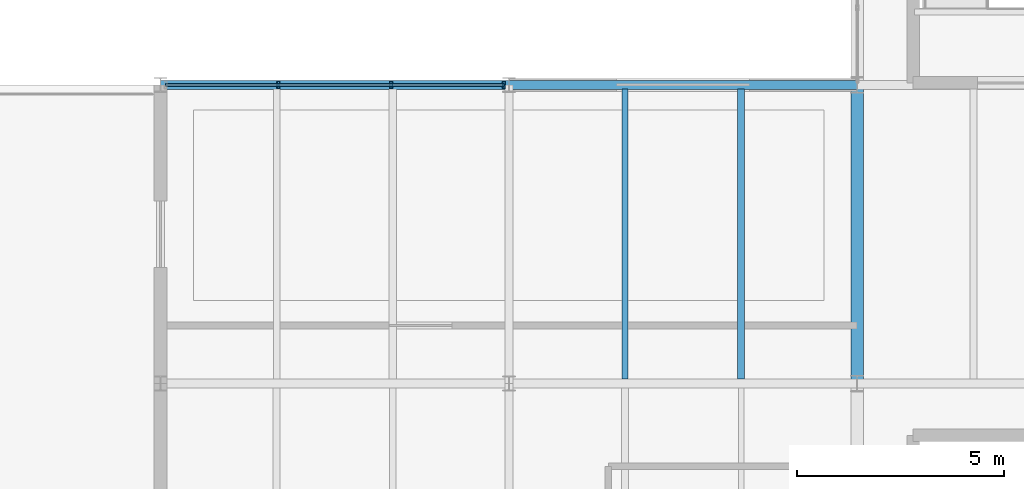
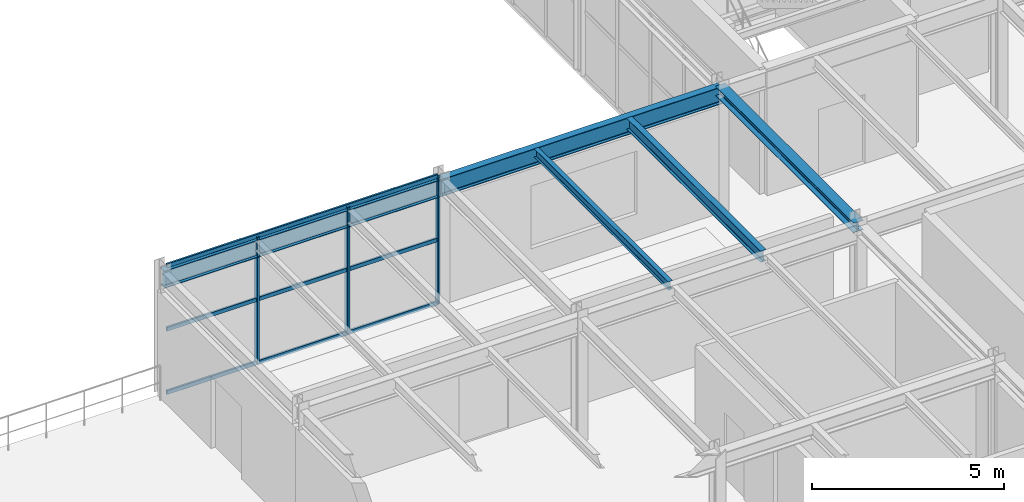
# One storey, part 71 of 134: 6 members, 5 beams, 1 element without a shape of its own.
"""IFC4 building model written with IfcOpenShell, lengths in metres."""

from ifc_helpers import new_model, si_unit, derived_unit, direction, frame, origin, origin_2d, place, context, subcontext, project, spatial, hollow_rectangle, i_section, extrude, material, material_profile, profile_set, type_object, element, aggregate, save


model = new_model("IFC4")

# Units and contexts
model_context = context("Model", 3, precision=1e-05, world=origin(), true_north=direction((0.0, 1.0)))
body_context = subcontext(model_context, "Body", "Model", "MODEL_VIEW")
ifc_project = project(units=[si_unit("LENGTHUNIT", "METRE"), si_unit("AREAUNIT", "SQUARE_METRE"), si_unit("VOLUMEUNIT", "CUBIC_METRE"), si_unit("PLANEANGLEUNIT", "RADIAN"), si_unit("MASSUNIT", "GRAM", prefix="KILO"), derived_unit("THERMALTRANSMITTANCEUNIT", [(si_unit("MASSUNIT", "GRAM", prefix="KILO"), 1), (si_unit("TIMEUNIT", "SECOND"), -3), (si_unit("THERMODYNAMICTEMPERATUREUNIT", "KELVIN"), -1)])], contexts=[model_context])

# Site, building, storey
site_placement = place(None, origin())
site = spatial("IfcSite", under=ifc_project, at=site_placement, CompositionType="ELEMENT")
building_placement = place(site_placement, origin())
building = spatial("IfcBuilding", under=site, at=building_placement, Name="Kharveza Railside Sports Centre", CompositionType="ELEMENT")
storey_placement = place(building_placement, frame((0.0, 0.0, 12.89990234375)))
storey = spatial("IfcBuildingStorey", under=building, at=storey_placement, Name="L03", CompositionType="ELEMENT", Elevation=12.89990234375)

# Beams
ifc_material_1 = material(Name="Steel S355J2", Category="steel")
ifc_material_profile_1 = material_profile(ifc_material_1, i_section(OverallWidth=0.2099609375, OverallDepth=0.550048828125, WebThickness=0.010986328125, FlangeThickness=0.01708984375, FilletRadius=0.02392578125, at=origin_2d()), Name="IPE 550")
ifc_profile_set_1 = profile_set([ifc_material_profile_1], Name="Steel S355J2")
beam_type_1 = type_object("IfcBeamType", Name="BM-G02", PredefinedType="T_BEAM", material=ifc_profile_set_1)
beam_1_placement = place(storey_placement, frame((126.0, 36.0, 3.68505859375), z_axis=(1.0, 0.0, 0.0), x_axis=(0.0, 1.0, 0.0)))
element("IfcBeam", 1, at=beam_1_placement, inside=storey, type_object=beam_type_1, Name="BM-EW-L03-B02-X1260-Y360", PredefinedType="T_BEAM", context=body_context, shape_type="SweptSolid", body=[
    extrude(i_section(OverallWidth=0.2099609375, OverallDepth=0.550048828125, WebThickness=0.010986328125, FlangeThickness=0.01708984375, FilletRadius=0.02392578125, at=origin_2d()), origin(), (0.0, 0.0, 1.0), 8.39990234375),
])
beam_2_placement = place(storey_placement, frame((134.39990234375, 36.0, 3.68505859375), z_axis=(1.0, 0.0, 0.0), x_axis=(0.0, 1.0, 0.0)))
element("IfcBeam", 2, at=beam_2_placement, inside=storey, type_object=beam_type_1, Name="BM-EW-L03-B02-X1344-Y360", PredefinedType="T_BEAM", context=body_context, shape_type="SweptSolid", body=[
    extrude(i_section(OverallWidth=0.2099609375, OverallDepth=0.550048828125, WebThickness=0.010986328125, FlangeThickness=0.01708984375, FilletRadius=0.02392578125, at=origin_2d()), origin(), (0.0, 0.0, 1.0), 8.400146484375),
])
ifc_material_profile_2 = material_profile(ifc_material_1, i_section(OverallWidth=0.169921875, OverallDepth=0.360107421875, WebThickness=0.008056640625, FlangeThickness=0.0126953125, FilletRadius=0.01806640625, at=origin_2d()), Name="IPE 360")
ifc_profile_set_2 = profile_set([ifc_material_profile_2], Name="Steel S355J2")
beam_type_2 = type_object("IfcBeamType", Name="BM-S02", PredefinedType="BEAM", material=ifc_profile_set_2)
beam_3_placement = place(storey_placement, frame((140.0, 28.906982421875, 3.780029296875), z_axis=(0.0, 1.0, 0.0), x_axis=(-1.0, 0.0, 0.0)))
element("IfcBeam", 3, at=beam_3_placement, inside=storey, type_object=beam_type_2, Name="BM-SEC-L03-B10-X1400-Y288", PredefinedType="BEAM", context=body_context, shape_type="SweptSolid", body=[
    extrude(i_section(OverallWidth=0.169921875, OverallDepth=0.360107421875, WebThickness=0.008056640625, FlangeThickness=0.0126953125, FilletRadius=0.01806640625, at=origin_2d()), origin(), (0.0, 0.0, 1.0), 6.990966796875),
])
ifc_material_profile_3 = material_profile(ifc_material_1, i_section(OverallWidth=0.135009765625, OverallDepth=0.27001953125, WebThickness=0.006591796875, FlangeThickness=0.01025390625, FilletRadius=0.014892578125, at=origin_2d()), Name="IPE 270")
ifc_profile_set_3 = profile_set([ifc_material_profile_3], Name="Steel S355J2")
beam_type_3 = type_object("IfcBeamType", Name="BM-S05", PredefinedType="BEAM", material=ifc_profile_set_3)
beam_4_placement = place(storey_placement, frame((137.199951171875, 28.906982421875, 3.8251953125), z_axis=(0.0, 1.0, 0.0), x_axis=(-1.0, 0.0, 0.0)))
element("IfcBeam", 4, at=beam_4_placement, inside=storey, type_object=beam_type_3, Name="BM-SEC-L03-B13-X1372-Y288", PredefinedType="BEAM", context=body_context, shape_type="SweptSolid", body=[
    extrude(i_section(OverallWidth=0.135009765625, OverallDepth=0.27001953125, WebThickness=0.006591796875, FlangeThickness=0.01025390625, FilletRadius=0.014892578125, at=origin_2d()), origin(), (0.0, 0.0, 1.0), 6.990966796875),
])
ifc_material_profile_4 = material_profile(ifc_material_1, i_section(OverallWidth=0.300048828125, OverallDepth=0.31005859375, WebThickness=0.009033203125, FlangeThickness=0.015380859375, FilletRadius=0.027099609375, at=origin_2d()), Name="HEA 320")
ifc_profile_set_4 = profile_set([ifc_material_profile_4], Name="Steel S355J2")
beam_type_4 = type_object("IfcBeamType", Name="BM-S06", PredefinedType="BEAM", material=ifc_profile_set_4)
beam_5_placement = place(storey_placement, frame((142.800048828125, 28.800048828125, 3.80517578125), z_axis=(0.0, 1.0, 0.0), x_axis=(-1.0, 0.0, 0.0)))
element("IfcBeam", 5, at=beam_5_placement, inside=storey, type_object=beam_type_4, Name="BM-NS-L03-B14-X1428-Y288", PredefinedType="BEAM", context=body_context, shape_type="SweptSolid", body=[
    extrude(i_section(OverallWidth=0.300048828125, OverallDepth=0.31005859375, WebThickness=0.009033203125, FlangeThickness=0.015380859375, FilletRadius=0.027099609375, at=origin_2d()), origin(), (0.0, 0.0, 1.0), 7.199951171875),
])

# Curtain wall, members
ifc_material_2 = material(Name="Low-E solar-control laminated glass", Category="glass")
curtain_wall_type = type_object("IfcCurtainWallType", Name="CW-WG01", PredefinedType="NOTDEFINED", material=ifc_material_2)
curtain_wall_placement = place(storey_placement, origin())
curtain_wall = element("IfcCurtainWall", 6, at=curtain_wall_placement, inside=storey, type_object=curtain_wall_type, Name="CW-WG-L03-CW-WG01-X1302-Y360", PredefinedType="NOTDEFINED")
ifc_material_3 = material(Name="Anodised aluminium 6063-T6", Category="aluminium")
ifc_material_profile_5 = material_profile(ifc_material_3, hollow_rectangle(XDim=0.070068359375, YDim=0.179931640625, WallThickness=0.00634765625, InnerFilletRadius=0.00634765625, OuterFilletRadius=0.0126953125, at=origin_2d()), Name="RHS 70x180x6.3")
ifc_profile_set_5 = profile_set([ifc_material_profile_5], Name="Anodised aluminium 6063-T6")
member_type_1 = type_object("IfcMemberType", Name="CW-ML03", PredefinedType="MULLION", material=ifc_profile_set_5)
member_1_placement = place(storey_placement, frame((134.280029296875, 36.0, 0.0), z_axis=(0.0, 0.0, 1.0), x_axis=(1.0, 0.0, 0.0)))
member_1 = element("IfcMember", 7, at=member_1_placement, type_object=member_type_1, Name="CW-WG-L03-CW-WG01-X1302-Y360-ML1", PredefinedType="MULLION", context=body_context, shape_type="SweptSolid", body=[
    extrude(hollow_rectangle(XDim=0.070068359375, YDim=0.179931640625, WallThickness=0.00634765625, InnerFilletRadius=0.00634765625, OuterFilletRadius=0.0126953125, at=origin_2d()), origin(), (0.0, 0.0, 1.0), 4.03515625),
])
member_2_placement = place(storey_placement, frame((131.56005859375, 36.0, 0.0), z_axis=(0.0, 0.0, 1.0), x_axis=(1.0, 0.0, 0.0)))
member_2 = element("IfcMember", 8, at=member_2_placement, type_object=member_type_1, Name="CW-WG-L03-CW-WG01-X1302-Y360-ML2", PredefinedType="MULLION", context=body_context, shape_type="SweptSolid", body=[
    extrude(hollow_rectangle(XDim=0.070068359375, YDim=0.179931640625, WallThickness=0.00634765625, InnerFilletRadius=0.00634765625, OuterFilletRadius=0.0126953125, at=origin_2d()), origin(), (0.0, 0.0, 1.0), 4.03515625),
])
member_3_placement = place(storey_placement, frame((128.840087890625, 36.0, 0.0), z_axis=(0.0, 0.0, 1.0), x_axis=(1.0, 0.0, 0.0)))
member_3 = element("IfcMember", 9, at=member_3_placement, type_object=member_type_1, Name="CW-WG-L03-CW-WG01-X1302-Y360-ML3", PredefinedType="MULLION", context=body_context, shape_type="SweptSolid", body=[
    extrude(hollow_rectangle(XDim=0.070068359375, YDim=0.179931640625, WallThickness=0.00634765625, InnerFilletRadius=0.00634765625, OuterFilletRadius=0.0126953125, at=origin_2d()), origin(), (0.0, 0.0, 1.0), 4.03515625),
])
ifc_material_profile_6 = material_profile(ifc_material_3, hollow_rectangle(XDim=0.06494140625, YDim=0.1298828125, WallThickness=0.0048828125, InnerFilletRadius=0.0048828125, OuterFilletRadius=0.010009765625, at=origin_2d()), Name="RHS 65x130x5.0")
ifc_profile_set_6 = profile_set([ifc_material_profile_6], Name="Anodised aluminium 6063-T6")
member_type_2 = type_object("IfcMemberType", Name="CW-TR03", PredefinedType="USERDEFINED", material=ifc_profile_set_6)
member_4_placement = place(storey_placement, frame((134.280029296875, 36.0, 0.0), z_axis=(-1.0, 0.0, 0.0), x_axis=(0.0, -1.0, 0.0)))
member_4 = element("IfcMember", 10, at=member_4_placement, type_object=member_type_2, Name="CW-WG-L03-CW-WG01-X1302-Y360-TR1", ObjectType="TRANSOM", PredefinedType="USERDEFINED", context=body_context, shape_type="SweptSolid", body=[
    extrude(hollow_rectangle(XDim=0.06494140625, YDim=0.1298828125, WallThickness=0.0048828125, InnerFilletRadius=0.0048828125, OuterFilletRadius=0.010009765625, at=origin_2d()), origin(), (0.0, 0.0, 1.0), 8.159912109375),
])
member_5_placement = place(storey_placement, frame((134.280029296875, 36.0, 2.017578125), z_axis=(-1.0, 0.0, 0.0), x_axis=(0.0, -1.0, 0.0)))
member_5 = element("IfcMember", 11, at=member_5_placement, type_object=member_type_2, Name="CW-WG-L03-CW-WG01-X1302-Y360-TR2", ObjectType="TRANSOM", PredefinedType="USERDEFINED", context=body_context, shape_type="SweptSolid", body=[
    extrude(hollow_rectangle(XDim=0.06494140625, YDim=0.1298828125, WallThickness=0.0048828125, InnerFilletRadius=0.0048828125, OuterFilletRadius=0.010009765625, at=origin_2d()), origin(), (0.0, 0.0, 1.0), 8.159912109375),
])
member_6_placement = place(storey_placement, frame((134.280029296875, 36.0, 4.03515625), z_axis=(-1.0, 0.0, 0.0), x_axis=(0.0, -1.0, 0.0)))
member_6 = element("IfcMember", 12, at=member_6_placement, type_object=member_type_2, Name="CW-WG-L03-CW-WG01-X1302-Y360-TR3", ObjectType="TRANSOM", PredefinedType="USERDEFINED", context=body_context, shape_type="SweptSolid", body=[
    extrude(hollow_rectangle(XDim=0.06494140625, YDim=0.1298828125, WallThickness=0.0048828125, InnerFilletRadius=0.0048828125, OuterFilletRadius=0.010009765625, at=origin_2d()), origin(), (0.0, 0.0, 1.0), 8.159912109375),
])
aggregate(curtain_wall, [member_1, member_2, member_3, member_4, member_5, member_6])

save(model, "model.ifc")
